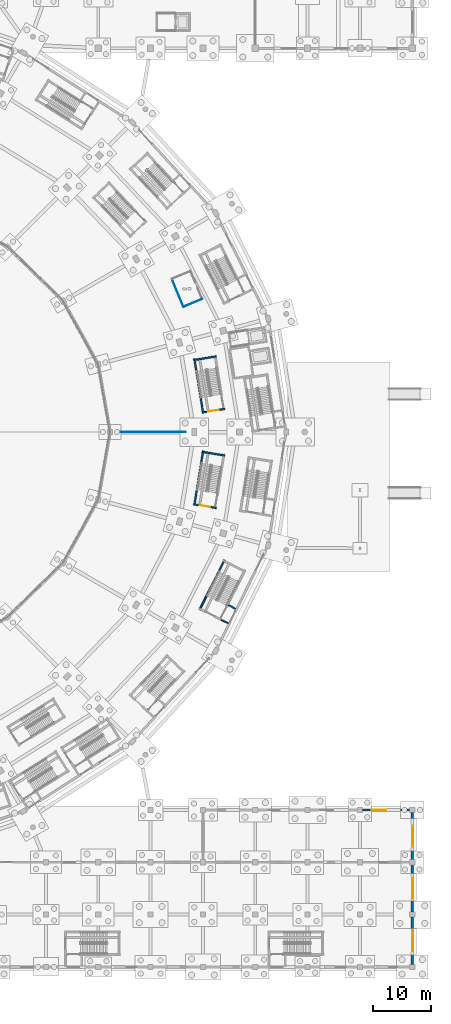
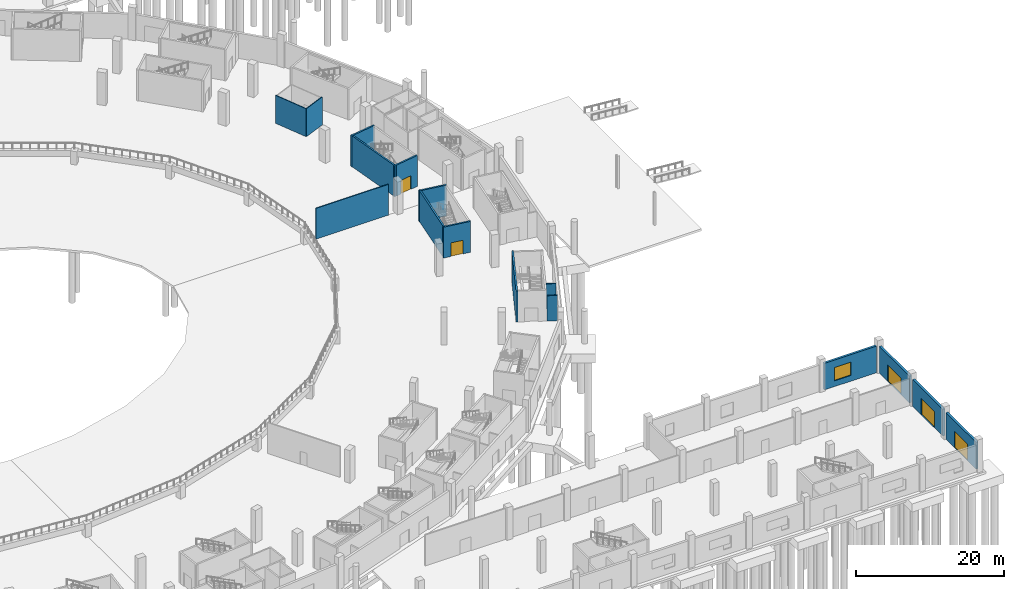
# One storey, part 39 of 103: 16 walls, 5 doors, 1 window, 6 openings.
"""IFC4 building model written with IfcOpenShell, lengths in metres."""

from ifc_helpers import new_model, si_unit, direction, frame, frame_2d, origin, place, context, subcontext, project, spatial, rectangle, extrude, material, layer, layer_set, type_object, element, fill, save


model = new_model("IFC4")

# Units and contexts
model_context = context("Model", 3, precision=1e-05, world=origin(), true_north=direction((0.0, 1.0)))
body_context = subcontext(model_context, "Body", "Model", "MODEL_VIEW")
ifc_project = project(units=[si_unit("LENGTHUNIT", "METRE"), si_unit("AREAUNIT", "SQUARE_METRE"), si_unit("VOLUMEUNIT", "CUBIC_METRE"), si_unit("PLANEANGLEUNIT", "RADIAN"), si_unit("MASSUNIT", "GRAM", prefix="KILO")], contexts=[model_context])

# Site, building, storey
site_placement = place(None, origin())
site = spatial("IfcSite", under=ifc_project, at=site_placement, CompositionType="ELEMENT")
building_placement = place(site_placement, origin())
building = spatial("IfcBuilding", under=site, at=building_placement, Name="Zevraka Park Crest Stadium", CompositionType="ELEMENT")
storey_placement = place(building_placement, origin())
storey = spatial("IfcBuildingStorey", under=building, at=storey_placement, Name="L00", CompositionType="ELEMENT", Elevation=0.0)

# Wall, opening, door
ifc_material_1 = material(Name="Limestone and red clay brick masonry", Category="masonry")
ifc_layer_1 = layer(ifc_material_1, 0.35009765625)
ifc_layer_set_1 = layer_set([ifc_layer_1], Name="Limestone and red clay brick masonry")
wall_type_1 = type_object("IfcWallType", Name="EW01", PredefinedType="STANDARD", material=ifc_layer_set_1)
wall_1_placement = place(storey_placement, frame((224.0, 26.574951171875, 0.0), z_axis=(0.0, 0.0, 1.0), x_axis=(0.0, -1.0, 0.0)))
wall_1 = element("IfcWall", 1, at=wall_1_placement, inside=storey, type_object=wall_type_1, Name="Wing External Cavity Wall EW01 L00-SE-E-1", PredefinedType="STANDARD", context=body_context, shape_type="SweptSolid", body=[
    extrude(rectangle(XDim=8.14990234375, YDim=0.35009765625, at=frame_2d((4.074951171875, 0.0))), origin(), (0.0, 0.0, 1.0), 4.4169921875),
])
opening_1_placement = place(wall_1_placement, frame((2.27490234375, 0.0, 0.0)))
opening_1 = element("IfcOpeningElement", 2, at=opening_1_placement, cuts=wall_1, Name="Opening D-L00-E53", PredefinedType="OPENING", context=body_context, shape_type="SweptSolid", body=[
    extrude(rectangle(XDim=3.60009765625, YDim=2.699951171875, at=frame_2d((1.800048828125, 1.35009765625))), frame((0.0, 0.18505859375, 0.0), z_axis=(0.0, -1.0, 0.0), x_axis=(1.0, 0.0, 0.0)), (0.0, 0.0, 1.0), 0.3701171875),
])
ifc_material_2 = material(Name="Thermally broken architectural aluminium and safety glass", Category="aluminium")
door_type_1 = type_object("IfcDoorType", Name="ED01", OperationType="NOTDEFINED", PredefinedType="DOOR", material=ifc_material_2)
door_1_placement = place(opening_1_placement, origin())
door_1 = element("IfcDoor", 3, at=door_1_placement, inside=storey, type_object=door_type_1, Name="Concourse Final Exit E53", OperationType="DOUBLE_DOOR_SINGLE_SWING", OverallHeight=2.699951171875, OverallWidth=3.60009765625, PredefinedType="DOOR", context=body_context, shape_type="SweptSolid", body=[
    extrude(rectangle(XDim=3.60009765625, YDim=2.699951171875, at=frame_2d((1.800048828125, 1.35009765625))), frame((0.0, 0.02490234375, 0.0), z_axis=(0.0, -1.0, 0.0), x_axis=(1.0, 0.0, 0.0)), (0.0, 0.0, 1.0), 0.050048828125),
])
fill(opening_1, door_1)

wall_2_placement = place(storey_placement, frame((224.0, 17.574951171875, 0.0), z_axis=(0.0, 0.0, 1.0), x_axis=(0.0, -1.0, 0.0)))
wall_2 = element("IfcWall", 4, at=wall_2_placement, inside=storey, type_object=wall_type_1, Name="Wing External Cavity Wall EW01 L00-SE-E-2", PredefinedType="STANDARD", context=body_context, shape_type="SweptSolid", body=[
    extrude(rectangle(XDim=8.14990234375, YDim=0.35009765625, at=frame_2d((4.074951171875, 0.0))), origin(), (0.0, 0.0, 1.0), 4.4169921875),
])
opening_2_placement = place(wall_2_placement, frame((2.27490234375, 0.0, 0.0)))
opening_2 = element("IfcOpeningElement", 5, at=opening_2_placement, cuts=wall_2, Name="Opening D-L00-E54", PredefinedType="OPENING", context=body_context, shape_type="SweptSolid", body=[
    extrude(rectangle(XDim=3.60009765625, YDim=2.699951171875, at=frame_2d((1.800048828125, 1.35009765625))), frame((0.0, 0.18505859375, 0.0), z_axis=(0.0, -1.0, 0.0), x_axis=(1.0, 0.0, 0.0)), (0.0, 0.0, 1.0), 0.3701171875),
])
door_2_placement = place(opening_2_placement, origin())
door_2 = element("IfcDoor", 6, at=door_2_placement, inside=storey, type_object=door_type_1, Name="Concourse Final Exit E54", OperationType="DOUBLE_DOOR_SINGLE_SWING", OverallHeight=2.699951171875, OverallWidth=3.60009765625, PredefinedType="DOOR", context=body_context, shape_type="SweptSolid", body=[
    extrude(rectangle(XDim=3.60009765625, YDim=2.699951171875, at=frame_2d((1.800048828125, 1.35009765625))), frame((0.0, 0.02490234375, 0.0), z_axis=(0.0, -1.0, 0.0), x_axis=(1.0, 0.0, 0.0)), (0.0, 0.0, 1.0), 0.050048828125),
])
fill(opening_2, door_2)

wall_3_placement = place(storey_placement, frame((224.0, 8.574951171875, 0.0), z_axis=(0.0, 0.0, 1.0), x_axis=(0.0, -1.0, 0.0)))
wall_3 = element("IfcWall", 7, at=wall_3_placement, inside=storey, type_object=wall_type_1, Name="Wing External Cavity Wall EW01 L00-SE-E-3", PredefinedType="STANDARD", context=body_context, shape_type="SweptSolid", body=[
    extrude(rectangle(XDim=8.14990234375, YDim=0.35009765625, at=frame_2d((4.074951171875, 0.0))), origin(), (0.0, 0.0, 1.0), 4.4169921875),
])
opening_3_placement = place(wall_3_placement, frame((2.27490234375, 0.0, 0.0)))
opening_3 = element("IfcOpeningElement", 8, at=opening_3_placement, cuts=wall_3, Name="Opening D-L00-E55", PredefinedType="OPENING", context=body_context, shape_type="SweptSolid", body=[
    extrude(rectangle(XDim=3.60009765625, YDim=2.699951171875, at=frame_2d((1.800048828125, 1.35009765625))), frame((0.0, 0.18505859375, 0.0), z_axis=(0.0, -1.0, 0.0), x_axis=(1.0, 0.0, 0.0)), (0.0, 0.0, 1.0), 0.3701171875),
])
door_3_placement = place(opening_3_placement, origin())
door_3 = element("IfcDoor", 9, at=door_3_placement, inside=storey, type_object=door_type_1, Name="Concourse Final Exit E55", OperationType="DOUBLE_DOOR_SINGLE_SWING", OverallHeight=2.699951171875, OverallWidth=3.60009765625, PredefinedType="DOOR", context=body_context, shape_type="SweptSolid", body=[
    extrude(rectangle(XDim=3.60009765625, YDim=2.699951171875, at=frame_2d((1.800048828125, 1.35009765625))), frame((0.0, 0.02490234375, 0.0), z_axis=(0.0, -1.0, 0.0), x_axis=(1.0, 0.0, 0.0)), (0.0, 0.0, 1.0), 0.050048828125),
])
fill(opening_3, door_3)

# Wall, opening, window
wall_4_placement = place(storey_placement, frame((215.425048828125, 27.0, 0.0), z_axis=(0.0, 0.0, 1.0), x_axis=(1.0, 0.0, 0.0)))
wall_4 = element("IfcWall", 10, at=wall_4_placement, inside=storey, type_object=wall_type_1, Name="Wing External Cavity Wall EW01 L00-SE-N-4", PredefinedType="STANDARD", context=body_context, shape_type="SweptSolid", body=[
    extrude(rectangle(XDim=8.14990234375, YDim=0.35009765625, at=frame_2d((4.074951171875, 0.0))), origin(), (0.0, 0.0, 1.0), 4.383544921875),
])
opening_4_placement = place(wall_4_placement, frame((1.576904296875, 0.0, 0.949951171875)))
opening_4 = element("IfcOpeningElement", 11, at=opening_4_placement, cuts=wall_4, Name="Opening WN12", PredefinedType="OPENING", context=body_context, shape_type="SweptSolid", body=[
    extrude(rectangle(XDim=2.550048828125, YDim=2.199951171875, at=frame_2d((1.27490234375, 1.10009765625))), frame((0.0, 0.18505859375, 0.0), z_axis=(0.0, -1.0, 0.0), x_axis=(1.0, 0.0, 0.0)), (0.0, 0.0, 1.0), 0.3701171875),
])
ifc_material_3 = material(Name="Solar-control laminated double glazing in aluminium frame", Category="aluminium")
window_type = type_object("IfcWindowType", Name="WN12", PartitioningType="SINGLE_PANEL", PredefinedType="WINDOW", material=ifc_material_3)
window_placement = place(opening_4_placement, origin())
window = element("IfcWindow", 12, at=window_placement, inside=storey, type_object=window_type, Name="Facade Casement Window WN12 W-L00-135", OverallHeight=2.199951171875, OverallWidth=2.550048828125, PartitioningType="SINGLE_PANEL", PredefinedType="WINDOW", context=body_context, shape_type="SweptSolid", body=[
    extrude(rectangle(XDim=2.550048828125, YDim=2.199951171875, at=frame_2d((1.27490234375, 1.10009765625))), frame((0.0, 0.030029296875, 0.0), z_axis=(0.0, -1.0, 0.0), x_axis=(1.0, 0.0, 0.0)), (0.0, 0.0, 1.0), 0.06005859375),
])
fill(opening_4, window)

# Walls
ifc_material_4 = material(Name="Autoclaved aerated masonry blockwork", Category="masonry")
ifc_layer_2 = layer(ifc_material_4, 0.199951171875)
ifc_layer_set_2 = layer_set([ifc_layer_2], Name="Autoclaved aerated masonry blockwork")
wall_type_2 = type_object("IfcWallType", Name="IW01", PredefinedType="PARTITIONING", material=ifc_layer_set_2)
wall_5_placement = place(storey_placement, frame((191.13330078125, 59.699951171875, 0.0), z_axis=(0.0, 0.0, 1.0), x_axis=(0.895547753185, -0.444965416371, 0.0)))
element("IfcWall", 13, at=wall_5_placement, inside=storey, type_object=wall_type_2, Name="Protected Exit Passageway Wall IW01 ST23-A", PredefinedType="PARTITIONING", context=body_context, shape_type="SweptSolid", body=[
    extrude(rectangle(XDim=1.390869140625, YDim=0.199951171875, at=frame_2d((0.6953125, 0.0))), origin(), (0.0, 0.0, 1.0), 4.1650390625),
])
wall_6_placement = place(storey_placement, frame((192.387451171875, 62.203369140625, 0.0), z_axis=(0.0, 0.0, 1.0), x_axis=(0.895731004012, -0.44459641075, 0.0)))
element("IfcWall", 14, at=wall_6_placement, inside=storey, type_object=wall_type_2, Name="Protected Exit Passageway Wall IW01 ST23-B", PredefinedType="PARTITIONING", context=body_context, shape_type="SweptSolid", body=[
    extrude(rectangle(XDim=1.381591796875, YDim=0.199951171875, at=frame_2d((0.69091796875, 0.0))), origin(), (0.0, 0.0, 1.0), 4.1650390625),
])
ifc_material_5 = material(Name="Fire-rated twin-stud acoustic drywall", Category="other")
ifc_layer_3 = layer(ifc_material_5, 0.139892578125)
ifc_layer_set_3 = layer_set([ifc_layer_3], Name="Fire-rated twin-stud acoustic drywall")
wall_type_3 = type_object("IfcWallType", Name="IW03", PredefinedType="PARTITIONING", material=ifc_layer_set_3)
wall_7_placement = place(storey_placement, frame((173.699951171875, 92.0, 0.0), z_axis=(0.0, 0.0, 1.0), x_axis=(1.0, 0.0, 0.0)))
element("IfcWall", 15, at=wall_7_placement, inside=storey, type_object=wall_type_3, Name="Interior Partition IW03 Home Athlete Locker Hall L00", PredefinedType="PARTITIONING", context=body_context, shape_type="SweptSolid", body=[
    extrude(rectangle(XDim=11.300048828125, YDim=0.139892578125, at=frame_2d((5.64990234375, 0.0))), origin(), (0.0, 0.0, 1.0), 5.080078125),
])
ifc_material_6 = material(Name="Moisture-resistant sanitary partition", Category="other")
ifc_layer_4 = layer(ifc_material_6, 0.1201171875)
ifc_layer_set_4 = layer_set([ifc_layer_4], Name="Moisture-resistant sanitary partition")
wall_type_4 = type_object("IfcWallType", Name="IW04", PredefinedType="PARTITIONING", material=ifc_layer_set_4)
wall_8_placement = place(storey_placement, frame((184.64208984375, 113.534912109375, 0.0), z_axis=(0.0, 0.0, 1.0), x_axis=(-0.38268766097, 0.923877780955, 0.0)))
element("IfcWall", 16, at=wall_8_placement, inside=storey, type_object=wall_type_4, Name="Sanitary Enclosure Wall IW04 Male WC L00-001-1", PredefinedType="PARTITIONING", context=body_context, shape_type="SweptSolid", body=[
    extrude(rectangle(XDim=5.199951171875, YDim=0.1201171875, at=frame_2d((2.60009765625, 0.0))), origin(), (0.0, 0.0, 1.0), 4.616943359375),
])
wall_9_placement = place(storey_placement, frame((187.875, 114.8740234375, 0.0), z_axis=(0.0, 0.0, 1.0), x_axis=(-0.923879927009, -0.382682479961, 0.0)))
element("IfcWall", 17, at=wall_9_placement, inside=storey, type_object=wall_type_4, Name="Sanitary Enclosure Wall IW04 Male WC L00-001-4", PredefinedType="PARTITIONING", context=body_context, shape_type="SweptSolid", body=[
    extrude(rectangle(XDim=3.499267578125, YDim=0.1201171875, at=frame_2d((1.74951171875, 0.0))), origin(), (0.0, 0.0, 1.0), 4.616943359375),
])
ifc_material_7 = material(Name="Concrete C40/50", Category="concrete")
ifc_layer_5 = layer(ifc_material_7, 0.25)
ifc_layer_set_5 = layer_set([ifc_layer_5], Name="Concrete C40/50")
wall_type_5 = type_object("IfcWallType", Name="SW01", PredefinedType="SHEAR", material=ifc_layer_set_5)
wall_10_placement = place(storey_placement, frame((191.70947265625, 69.98095703125, 0.0), z_axis=(0.0, 0.0, 1.0), x_axis=(-0.4479088042, -0.894079248792, 0.0)))
element("IfcWall", 18, at=wall_10_placement, inside=storey, type_object=wall_type_5, Name="Stair Core Shear Wall SW01 ST23 L00 right", PredefinedType="SHEAR", context=body_context, shape_type="SweptSolid", body=[
    extrude(rectangle(XDim=9.550048828125, YDim=0.25, at=frame_2d((4.77490234375, 0.0))), origin(), (0.0, 0.0, 1.0), 5.10009765625),
])
wall_11_placement = place(storey_placement, frame((186.5185546875, 104.57763671875, 0.0), z_axis=(0.0, 0.0, 1.0), x_axis=(0.160690234322, -0.987004887827, 0.0)))
element("IfcWall", 19, at=wall_11_placement, inside=storey, type_object=wall_type_5, Name="Stair Core Shear Wall SW01 ST33 L00 right", PredefinedType="SHEAR", context=body_context, shape_type="SweptSolid", body=[
    extrude(rectangle(XDim=9.4501953125, YDim=0.25, at=frame_2d((4.72509765625, 0.0))), origin(), (0.0, 0.0, 1.0), 5.10009765625),
])

# Wall, opening, door
wall_12_placement = place(storey_placement, frame((187.849365234375, 95.346435546875, 0.0), z_axis=(0.0, 0.0, 1.0), x_axis=(0.986998628025, 0.160728679072, 0.0)))
wall_12 = element("IfcWall", 20, at=wall_12_placement, inside=storey, type_object=wall_type_5, Name="Stair Core Shear Wall SW01 ST33 L00 near", PredefinedType="SHEAR", context=body_context, shape_type="SweptSolid", body=[
    extrude(rectangle(XDim=3.9599609375, YDim=0.25, at=frame_2d((1.97998046875, 0.0))), origin(), (0.0, 0.0, 1.0), 5.10009765625),
])
opening_5_placement = place(wall_12_placement, frame((1.080078125, 0.0, 0.0)))
opening_5 = element("IfcOpeningElement", 21, at=opening_5_placement, cuts=wall_12, Name="Opening D-L00-185", PredefinedType="OPENING", context=body_context, shape_type="SweptSolid", body=[
    extrude(rectangle(XDim=1.800048828125, YDim=2.25, at=frame_2d((0.89990234375, 1.125))), frame((0.0, 0.135009765625, 0.0), z_axis=(0.0, -1.0, 0.0), x_axis=(1.0, 0.0, 0.0)), (0.0, 0.0, 1.0), 0.27001953125),
])
ifc_material_8 = material(Name="Solid-core hardwood timber leaf in steel frame", Category="steel")
door_type_2 = type_object("IfcDoorType", Name="DR04", OperationType="NOTDEFINED", PredefinedType="DOOR", material=ifc_material_8)
door_4_placement = place(opening_5_placement, origin())
door_4 = element("IfcDoor", 22, at=door_4_placement, inside=storey, type_object=door_type_2, Name="Protected Stair Entry Door ST33 L00", OperationType="DOUBLE_DOOR_SINGLE_SWING", OverallHeight=2.25, OverallWidth=1.800048828125, PredefinedType="DOOR", context=body_context, shape_type="SweptSolid", body=[
    extrude(rectangle(XDim=1.800048828125, YDim=2.25, at=frame_2d((0.89990234375, 1.125))), frame((0.0, 0.02490234375, 0.0), z_axis=(0.0, -1.0, 0.0), x_axis=(1.0, 0.0, 0.0)), (0.0, 0.0, 1.0), 0.050048828125),
])
fill(opening_5, door_4)

# Walls
wall_13_placement = place(storey_placement, frame((190.2890625, 105.00390625, 0.0), z_axis=(0.0, 0.0, 1.0), x_axis=(-0.987009998221, -0.160658841684, 0.0)))
element("IfcWall", 23, at=wall_13_placement, inside=storey, type_object=wall_type_5, Name="Stair Core Shear Wall SW01 ST33 L00 far", PredefinedType="SHEAR", context=body_context, shape_type="SweptSolid", body=[
    extrude(rectangle(XDim=3.960205078125, YDim=0.25, at=frame_2d((1.97998046875, 0.0))), origin(), (0.0, 0.0, 1.0), 5.10009765625),
])
wall_14_placement = place(storey_placement, frame((188.03662109375, 88.749267578125, 0.0), z_axis=(0.0, 0.0, 1.0), x_axis=(-0.160719499634, -0.987000122815, 0.0)))
element("IfcWall", 24, at=wall_14_placement, inside=storey, type_object=wall_type_5, Name="Stair Core Shear Wall SW01 ST44 L00 right", PredefinedType="SHEAR", context=body_context, shape_type="SweptSolid", body=[
    extrude(rectangle(XDim=9.449951171875, YDim=0.25, at=frame_2d((4.72509765625, 0.0))), origin(), (0.0, 0.0, 1.0), 5.10009765625),
])

# Wall, opening, door
wall_15_placement = place(storey_placement, frame((186.3701171875, 79.57275390625, 0.0), z_axis=(0.0, 0.0, 1.0), x_axis=(0.987008406822, -0.160668618163, 0.0)))
wall_15 = element("IfcWall", 25, at=wall_15_placement, inside=storey, type_object=wall_type_5, Name="Stair Core Shear Wall SW01 ST44 L00 near", PredefinedType="SHEAR", context=body_context, shape_type="SweptSolid", body=[
    extrude(rectangle(XDim=3.9599609375, YDim=0.25, at=frame_2d((1.97998046875, 0.0))), origin(), (0.0, 0.0, 1.0), 5.10009765625),
])
opening_6_placement = place(wall_15_placement, frame((1.080078125, 0.0, 0.0)))
opening_6 = element("IfcOpeningElement", 26, at=opening_6_placement, cuts=wall_15, Name="Opening D-L00-229", PredefinedType="OPENING", context=body_context, shape_type="SweptSolid", body=[
    extrude(rectangle(XDim=1.800048828125, YDim=2.25, at=frame_2d((0.89990234375, 1.125))), frame((0.0, 0.135009765625, 0.0), z_axis=(0.0, -1.0, 0.0), x_axis=(1.0, 0.0, 0.0)), (0.0, 0.0, 1.0), 0.27001953125),
])
door_5_placement = place(opening_6_placement, origin())
door_5 = element("IfcDoor", 27, at=door_5_placement, inside=storey, type_object=door_type_2, Name="Protected Stair Entry Door ST44 L00", OperationType="DOUBLE_DOOR_SINGLE_SWING", OverallHeight=2.25, OverallWidth=1.800048828125, PredefinedType="DOOR", context=body_context, shape_type="SweptSolid", body=[
    extrude(rectangle(XDim=1.800048828125, YDim=2.25, at=frame_2d((0.89990234375, 1.125))), frame((0.0, 0.02490234375, 0.0), z_axis=(0.0, -1.0, 0.0), x_axis=(1.0, 0.0, 0.0)), (0.0, 0.0, 1.0), 0.050048828125),
])
fill(opening_6, door_5)

# Wall
wall_16_placement = place(storey_placement, frame((191.74755859375, 87.957763671875, 0.0), z_axis=(0.0, 0.0, 1.0), x_axis=(-0.987008406822, 0.160668618163, 0.0)))
element("IfcWall", 28, at=wall_16_placement, inside=storey, type_object=wall_type_5, Name="Stair Core Shear Wall SW01 ST44 L00 far", PredefinedType="SHEAR", context=body_context, shape_type="SweptSolid", body=[
    extrude(rectangle(XDim=3.9599609375, YDim=0.25, at=frame_2d((1.97998046875, 0.0))), origin(), (0.0, 0.0, 1.0), 5.10009765625),
])

save(model, "model.ifc")
